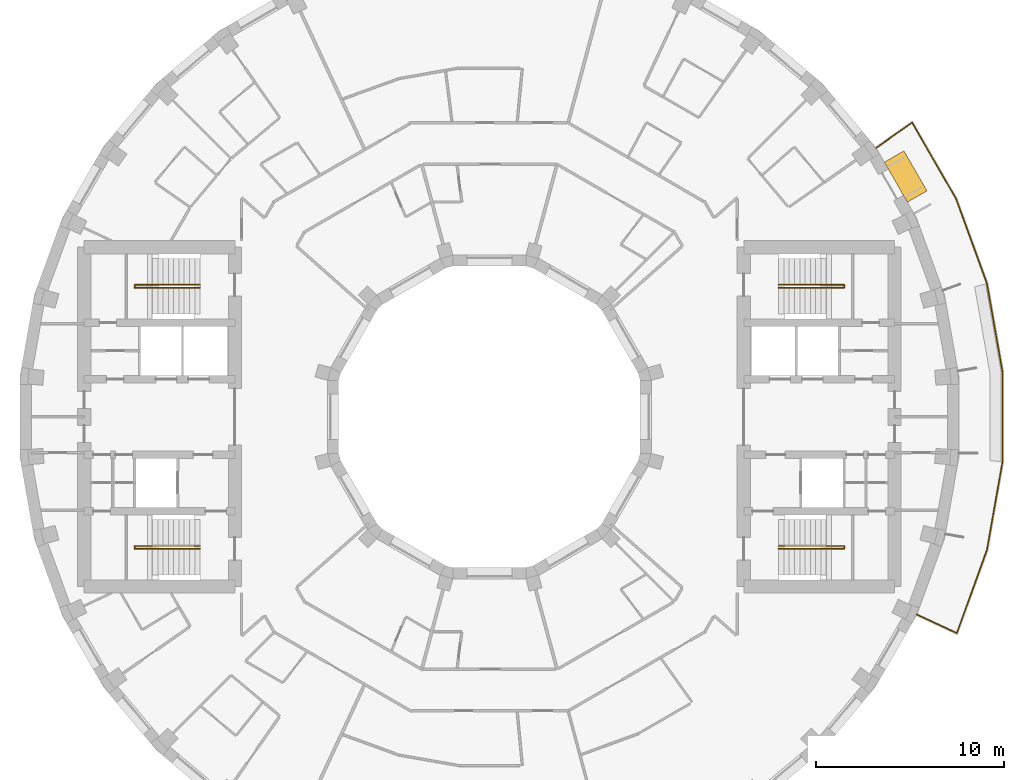
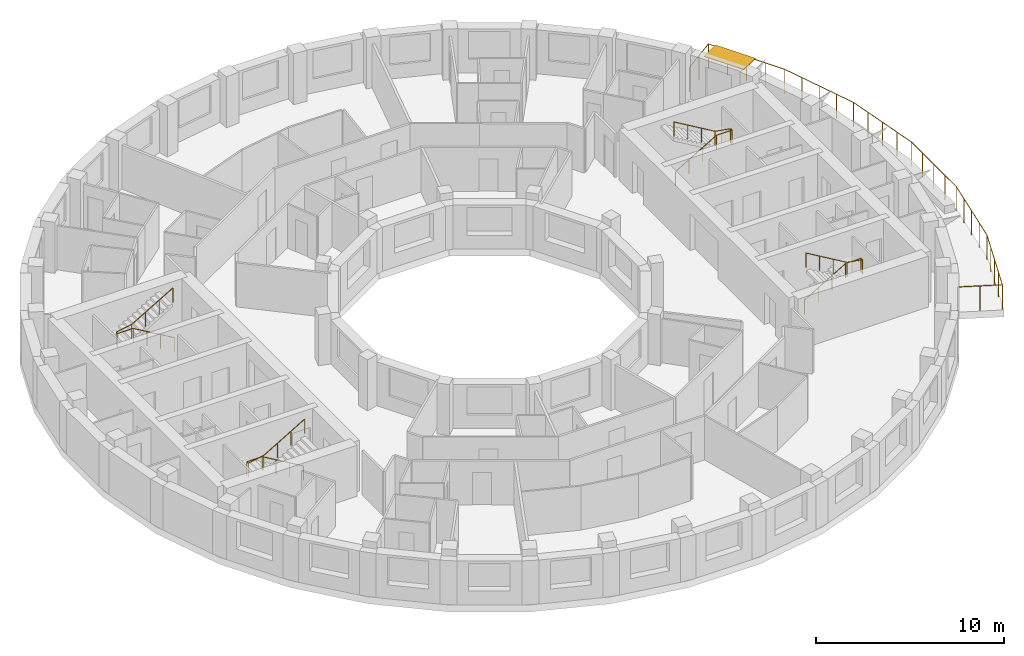
# One storey, part 11 of 11: 5 railings, 1 shading device.
"""IFC4 building model written with IfcOpenShell, lengths in metres."""

from ifc_helpers import new_model, si_unit, direction, frame, origin, origin_2d, place, context, subcontext, project, spatial, rectangle, circle, extrude, material, layer, layer_set, type_object, element, save


model = new_model("IFC4")

# Units and contexts
model_context = context("Model", 3, precision=1e-05, world=origin(), true_north=direction((0.0, 1.0)))
body_context = subcontext(model_context, "Body", "Model", "MODEL_VIEW")
ifc_project = project(units=[si_unit("LENGTHUNIT", "METRE"), si_unit("AREAUNIT", "SQUARE_METRE"), si_unit("VOLUMEUNIT", "CUBIC_METRE"), si_unit("PLANEANGLEUNIT", "RADIAN"), si_unit("MASSUNIT", "GRAM", prefix="KILO")], contexts=[model_context])

# Site, building, storey
site_placement = place(None, origin())
site = spatial("IfcSite", under=ifc_project, at=site_placement, CompositionType="ELEMENT")
building_placement = place(site_placement, origin())
building = spatial("IfcBuilding", under=site, at=building_placement, Name="Saqina Gate Tower", CompositionType="ELEMENT")
storey_placement = place(building_placement, frame((0.0, 0.0, 183.89990234375)))
storey = spatial("IfcBuildingStorey", under=building, at=storey_placement, Name="L52", CompositionType="ELEMENT", Elevation=183.89990234375)

# Shading device
ifc_material_1 = material(Name="Aluminium and fabric awning", Category="aluminium")
ifc_layer = layer(ifc_material_1, 0.050048828125)
ifc_layer_set = layer_set([ifc_layer], Name="AW-TERRACE")
shading_device_type = type_object("IfcShadingDeviceType", Name="AW-TERRACE", PredefinedType="AWNING", material=ifc_layer_set)
shading_device_placement = place(storey_placement, frame((22.087890625, 12.75244140625, 2.52490234375), z_axis=(0.0, 0.0, 1.0), x_axis=(-0.5, 0.866025403784, 0.0)))
element("IfcShadingDevice", 1, at=shading_device_placement, inside=storey, type_object=shading_device_type, Name="Terrace awning L52 facet 3", PredefinedType="AWNING", context=body_context, shape_type="SweptSolid", body=[
    extrude(rectangle(XDim=2.44970703125, YDim=1.199951171875, at=origin_2d()), origin(), (0.0, 0.0, 1.0), 0.050048828125),
])

# Railings
ifc_material_2 = material(Name="Stainless steel", Category="steel")
railing_type_1 = type_object("IfcRailingType", Name="RL-TERRACE", PredefinedType="GUARDRAIL", material=ifc_material_2)
railing_1_placement = place(storey_placement, frame((22.63720703125, -10.467529296875, 0.0)))
element("IfcRailing", 2, at=railing_1_placement, inside=storey, type_object=railing_type_1, Name="Terrace guard L52", PredefinedType="GUARDRAIL", context=body_context, shape_type="SweptSolid", body=[
    extrude(circle(Radius=0.02392578125, at=origin_2d()), frame((0.0, 0.0, 1.576171875), z_axis=(0.906277108403, -0.422684046048, 0.0), x_axis=(0.422684046048, 0.906277108403, 0.0)), (0.0, 0.0, 1.0), 2.388916015625),
    extrude(circle(Radius=0.02392578125, at=origin_2d()), frame((2.1650390625, -1.009765625, 1.576171875), z_axis=(0.340608713677, 0.940205139407, 0.0), x_axis=(-0.940205139407, 0.340608713677, 0.0)), (0.0, 0.0, 1.0), 4.68408203125),
    extrude(circle(Radius=0.02392578125, at=origin_2d()), frame((3.760498046875, 3.394287109375, 1.576171875), z_axis=(0.173633303123, 0.98481037568, 0.0), x_axis=(-0.98481037568, 0.173633303123, 0.0)), (0.0, 0.0, 1.0), 4.763671875),
    extrude(circle(Radius=0.02392578125, at=origin_2d()), frame((4.587646484375, 8.085693359375, 1.576171875), z_axis=(0.0, 1.0, 0.0), x_axis=(-1.0, 0.0, 0.0)), (0.0, 0.0, 1.0), 4.763671875),
    extrude(circle(Radius=0.02392578125, at=origin_2d()), frame((4.587646484375, 12.849365234375, 1.576171875), z_axis=(-0.173633303123, 0.98481037568, 0.0), x_axis=(-0.98481037568, -0.173633303123, 0.0)), (0.0, 0.0, 1.0), 4.763671875),
    extrude(circle(Radius=0.02392578125, at=origin_2d()), frame((3.760498046875, 17.540771484375, 1.576171875), z_axis=(-0.342031084868, 0.939688638318, 0.0), x_axis=(-0.939688638318, -0.342031084868, 0.0)), (0.0, 0.0, 1.0), 4.763916015625),
    extrude(circle(Radius=0.02392578125, at=origin_2d()), frame((2.131103515625, 22.017333984375, 1.576171875), z_axis=(-0.49871886863, 0.866763802932, 0.0), x_axis=(-0.866763802932, -0.49871886863, 0.0)), (0.0, 0.0, 1.0), 4.683837890625),
    extrude(circle(Radius=0.02392578125, at=origin_2d()), frame((-0.204833984375, 26.0771484375, 1.576171875), z_axis=(-0.819159891559, -0.573565229124, 0.0), x_axis=(0.573565229124, -0.819159891559, 0.0)), (0.0, 0.0, 1.0), 2.388671875),
    extrude(circle(Radius=0.02099609375, at=origin_2d()), origin(), (0.0, 0.0, 1.0), 1.552001953125),
    extrude(circle(Radius=0.02099609375, at=origin_2d()), frame((1.08251953125, -0.5048828125, 0.0)), (0.0, 0.0, 1.0), 1.552001953125),
    extrude(circle(Radius=0.02099609375, at=origin_2d()), frame((2.1650390625, -1.009765625, 0.0)), (0.0, 0.0, 1.0), 1.552001953125),
    extrude(circle(Radius=0.02099609375, at=origin_2d()), frame((2.56396484375, 0.09130859375, 0.0)), (0.0, 0.0, 1.0), 1.552001953125),
    extrude(circle(Radius=0.02099609375, at=origin_2d()), frame((2.962890625, 1.1923828125, 0.0)), (0.0, 0.0, 1.0), 1.552001953125),
    extrude(circle(Radius=0.02099609375, at=origin_2d()), frame((3.361572265625, 2.293212890625, 0.0)), (0.0, 0.0, 1.0), 1.552001953125),
    extrude(circle(Radius=0.02099609375, at=origin_2d()), frame((3.760498046875, 3.394287109375, 0.0)), (0.0, 0.0, 1.0), 1.552001953125),
    extrude(circle(Radius=0.02099609375, at=origin_2d()), frame((3.96728515625, 4.567138671875, 0.0)), (0.0, 0.0, 1.0), 1.552001953125),
    extrude(circle(Radius=0.02099609375, at=origin_2d()), frame((4.174072265625, 5.739990234375, 0.0)), (0.0, 0.0, 1.0), 1.552001953125),
    extrude(circle(Radius=0.02099609375, at=origin_2d()), frame((4.380859375, 6.912841796875, 0.0)), (0.0, 0.0, 1.0), 1.552001953125),
    extrude(circle(Radius=0.02099609375, at=origin_2d()), frame((4.587646484375, 8.085693359375, 0.0)), (0.0, 0.0, 1.0), 1.552001953125),
    extrude(circle(Radius=0.02099609375, at=origin_2d()), frame((4.587646484375, 9.276611328125, 0.0)), (0.0, 0.0, 1.0), 1.552001953125),
    extrude(circle(Radius=0.02099609375, at=origin_2d()), frame((4.587646484375, 10.467529296875, 0.0)), (0.0, 0.0, 1.0), 1.552001953125),
    extrude(circle(Radius=0.02099609375, at=origin_2d()), frame((4.587646484375, 11.658447265625, 0.0)), (0.0, 0.0, 1.0), 1.552001953125),
    extrude(circle(Radius=0.02099609375, at=origin_2d()), frame((4.587646484375, 12.849365234375, 0.0)), (0.0, 0.0, 1.0), 1.552001953125),
    extrude(circle(Radius=0.02099609375, at=origin_2d()), frame((4.380859375, 14.022216796875, 0.0)), (0.0, 0.0, 1.0), 1.552001953125),
    extrude(circle(Radius=0.02099609375, at=origin_2d()), frame((4.174072265625, 15.195068359375, 0.0)), (0.0, 0.0, 1.0), 1.552001953125),
    extrude(circle(Radius=0.02099609375, at=origin_2d()), frame((3.96728515625, 16.367919921875, 0.0)), (0.0, 0.0, 1.0), 1.552001953125),
    extrude(circle(Radius=0.02099609375, at=origin_2d()), frame((3.760498046875, 17.540771484375, 0.0)), (0.0, 0.0, 1.0), 1.552001953125),
    extrude(circle(Radius=0.02099609375, at=origin_2d()), frame((3.35302734375, 18.659912109375, 0.0)), (0.0, 0.0, 1.0), 1.552001953125),
    extrude(circle(Radius=0.02099609375, at=origin_2d()), frame((2.94580078125, 19.779052734375, 0.0)), (0.0, 0.0, 1.0), 1.552001953125),
    extrude(circle(Radius=0.02099609375, at=origin_2d()), frame((2.53857421875, 20.898193359375, 0.0)), (0.0, 0.0, 1.0), 1.552001953125),
    extrude(circle(Radius=0.02099609375, at=origin_2d()), frame((2.131103515625, 22.017333984375, 0.0)), (0.0, 0.0, 1.0), 1.552001953125),
    extrude(circle(Radius=0.02099609375, at=origin_2d()), frame((1.547119140625, 23.0322265625, 0.0)), (0.0, 0.0, 1.0), 1.552001953125),
    extrude(circle(Radius=0.02099609375, at=origin_2d()), frame((0.963134765625, 24.04736328125, 0.0)), (0.0, 0.0, 1.0), 1.552001953125),
    extrude(circle(Radius=0.02099609375, at=origin_2d()), frame((0.379150390625, 25.062255859375, 0.0)), (0.0, 0.0, 1.0), 1.552001953125),
    extrude(circle(Radius=0.02099609375, at=origin_2d()), frame((-0.204833984375, 26.0771484375, 0.0)), (0.0, 0.0, 1.0), 1.552001953125),
    extrude(circle(Radius=0.02099609375, at=origin_2d()), frame((-1.18310546875, 25.39208984375, 0.0)), (0.0, 0.0, 1.0), 1.552001953125),
    extrude(circle(Radius=0.02099609375, at=origin_2d()), frame((-2.16162109375, 24.70703125, 0.0)), (0.0, 0.0, 1.0), 1.552001953125),
])
ifc_material_3 = material(Name="Stainless steel", Category="steel")
railing_type_2 = type_object("IfcRailingType", Name="STAIR HANDRAIL", PredefinedType="HANDRAIL", material=ifc_material_3)
railing_2_placement = place(storey_placement, frame((15.35009765625, 6.85009765625, 0.1650390625)))
element("IfcRailing", 3, at=railing_2_placement, inside=storey, type_object=railing_type_2, Name="EXIT STAIR 1 HANDRAIL", PredefinedType="HANDRAIL", context=body_context, shape_type="SweptSolid", body=[
    extrude(circle(Radius=0.02392578125, at=origin_2d()), frame((0.0, 0.0, 0.92578125), z_axis=(0.86152411907, 0.0, 0.507716645641), x_axis=(0.0, 1.0, 0.0)), (0.0, 0.0, 1.0), 2.925048828125),
    extrude(circle(Radius=0.02392578125, at=origin_2d()), frame((2.52001953125, 0.0, 2.4111328125), z_axis=(1.0, 0.0, 0.0), x_axis=(0.0, 1.0, 0.0)), (0.0, 0.0, 1.0), 0.949951171875),
    extrude(circle(Radius=0.02392578125, at=origin_2d()), frame((3.469970703125, 0.0, 2.4111328125), z_axis=(0.0, 1.0, 0.0), x_axis=(-1.0, 0.0, 0.0)), (0.0, 0.0, 1.0), 0.14990234375),
    extrude(circle(Radius=0.02392578125, at=origin_2d()), frame((3.469970703125, 0.14990234375, 2.4111328125), z_axis=(-0.985241474778, 0.0, 0.171170197109), x_axis=(0.0, -1.0, 0.0)), (0.0, 0.0, 1.0), 0.964111328125),
    extrude(circle(Radius=0.02392578125, at=origin_2d()), frame((2.52001953125, 0.14990234375, 2.576171875), z_axis=(-0.861560626758, 0.0, 0.507654692109), x_axis=(0.0, -1.0, 0.0)), (0.0, 0.0, 1.0), 2.925048828125),
    extrude(circle(Radius=0.02099609375, at=origin_2d()), origin(), (0.0, 0.0, 1.0), 0.90185546875),
    extrude(circle(Radius=0.02099609375, at=origin_2d()), frame((0.840087890625, 0.0, 0.4951171875)), (0.0, 0.0, 1.0), 0.90185546875),
    extrude(circle(Radius=0.02099609375, at=origin_2d()), frame((1.679931640625, 0.0, 0.989990234375)), (0.0, 0.0, 1.0), 0.90185546875),
    extrude(circle(Radius=0.02099609375, at=origin_2d()), frame((2.52001953125, 0.0, 1.485107421875)), (0.0, 0.0, 1.0), 0.90185546875),
    extrude(circle(Radius=0.02099609375, at=origin_2d()), frame((3.469970703125, 0.0, 1.485107421875)), (0.0, 0.0, 1.0), 0.90185546875),
    extrude(circle(Radius=0.02099609375, at=origin_2d()), frame((3.469970703125, 0.14990234375, 1.485107421875)), (0.0, 0.0, 1.0), 0.90185546875),
    extrude(circle(Radius=0.02099609375, at=origin_2d()), frame((2.52001953125, 0.14990234375, 1.650146484375)), (0.0, 0.0, 1.0), 0.90185546875),
    extrude(circle(Radius=0.02099609375, at=origin_2d()), frame((1.679931640625, 0.14990234375, 2.14501953125)), (0.0, 0.0, 1.0), 0.90185546875),
    extrude(circle(Radius=0.02099609375, at=origin_2d()), frame((0.840087890625, 0.14990234375, 2.64013671875)), (0.0, 0.0, 1.0), 0.90185546875),
    extrude(circle(Radius=0.02099609375, at=origin_2d()), frame((0.0, 0.14990234375, 3.135009765625)), (0.0, 0.0, 1.0), 0.90185546875),
])
railing_3_placement = place(storey_placement, frame((15.35009765625, -6.85009765625, 0.1650390625)))
element("IfcRailing", 4, at=railing_3_placement, inside=storey, type_object=railing_type_2, Name="EXIT STAIR 2 HANDRAIL", PredefinedType="HANDRAIL", context=body_context, shape_type="SweptSolid", body=[
    extrude(circle(Radius=0.02392578125, at=origin_2d()), frame((0.0, 0.0, 0.92578125), z_axis=(0.86152411907, 0.0, 0.507716645641), x_axis=(0.0, 1.0, 0.0)), (0.0, 0.0, 1.0), 2.925048828125),
    extrude(circle(Radius=0.02392578125, at=origin_2d()), frame((2.52001953125, 0.0, 2.4111328125), z_axis=(1.0, 0.0, 0.0), x_axis=(0.0, 1.0, 0.0)), (0.0, 0.0, 1.0), 0.949951171875),
    extrude(circle(Radius=0.02392578125, at=origin_2d()), frame((3.469970703125, 0.0, 2.4111328125), z_axis=(0.0, -1.0, 0.0), x_axis=(1.0, 0.0, 0.0)), (0.0, 0.0, 1.0), 0.14990234375),
    extrude(circle(Radius=0.02392578125, at=origin_2d()), frame((3.469970703125, -0.14990234375, 2.4111328125), z_axis=(-0.985241474778, 0.0, 0.171170197109), x_axis=(0.0, -1.0, 0.0)), (0.0, 0.0, 1.0), 0.964111328125),
    extrude(circle(Radius=0.02392578125, at=origin_2d()), frame((2.52001953125, -0.14990234375, 2.576171875), z_axis=(-0.861560626758, 0.0, 0.507654692109), x_axis=(0.0, -1.0, 0.0)), (0.0, 0.0, 1.0), 2.925048828125),
    extrude(circle(Radius=0.02099609375, at=origin_2d()), origin(), (0.0, 0.0, 1.0), 0.90185546875),
    extrude(circle(Radius=0.02099609375, at=origin_2d()), frame((0.840087890625, 0.0, 0.4951171875)), (0.0, 0.0, 1.0), 0.90185546875),
    extrude(circle(Radius=0.02099609375, at=origin_2d()), frame((1.679931640625, 0.0, 0.989990234375)), (0.0, 0.0, 1.0), 0.90185546875),
    extrude(circle(Radius=0.02099609375, at=origin_2d()), frame((2.52001953125, 0.0, 1.485107421875)), (0.0, 0.0, 1.0), 0.90185546875),
    extrude(circle(Radius=0.02099609375, at=origin_2d()), frame((3.469970703125, 0.0, 1.485107421875)), (0.0, 0.0, 1.0), 0.90185546875),
    extrude(circle(Radius=0.02099609375, at=origin_2d()), frame((3.469970703125, -0.14990234375, 1.485107421875)), (0.0, 0.0, 1.0), 0.90185546875),
    extrude(circle(Radius=0.02099609375, at=origin_2d()), frame((2.52001953125, -0.14990234375, 1.650146484375)), (0.0, 0.0, 1.0), 0.90185546875),
    extrude(circle(Radius=0.02099609375, at=origin_2d()), frame((1.679931640625, -0.14990234375, 2.14501953125)), (0.0, 0.0, 1.0), 0.90185546875),
    extrude(circle(Radius=0.02099609375, at=origin_2d()), frame((0.840087890625, -0.14990234375, 2.64013671875)), (0.0, 0.0, 1.0), 0.90185546875),
    extrude(circle(Radius=0.02099609375, at=origin_2d()), frame((0.0, -0.14990234375, 3.135009765625)), (0.0, 0.0, 1.0), 0.90185546875),
])
railing_4_placement = place(storey_placement, frame((-15.35009765625, 6.85009765625, 0.1650390625)))
element("IfcRailing", 5, at=railing_4_placement, inside=storey, type_object=railing_type_2, Name="EXIT STAIR 3 HANDRAIL", PredefinedType="HANDRAIL", context=body_context, shape_type="SweptSolid", body=[
    extrude(circle(Radius=0.02392578125, at=origin_2d()), frame((0.0, 0.0, 0.92578125), z_axis=(-0.86152411907, 0.0, 0.507716645641), x_axis=(0.0, -1.0, 0.0)), (0.0, 0.0, 1.0), 2.925048828125),
    extrude(circle(Radius=0.02392578125, at=origin_2d()), frame((-2.52001953125, 0.0, 2.4111328125), z_axis=(-1.0, 0.0, 0.0), x_axis=(0.0, -1.0, 0.0)), (0.0, 0.0, 1.0), 0.949951171875),
    extrude(circle(Radius=0.02392578125, at=origin_2d()), frame((-3.469970703125, 0.0, 2.4111328125), z_axis=(0.0, 1.0, 0.0), x_axis=(-1.0, 0.0, 0.0)), (0.0, 0.0, 1.0), 0.14990234375),
    extrude(circle(Radius=0.02392578125, at=origin_2d()), frame((-3.469970703125, 0.14990234375, 2.4111328125), z_axis=(0.985241474778, 0.0, 0.171170197109), x_axis=(0.0, 1.0, 0.0)), (0.0, 0.0, 1.0), 0.964111328125),
    extrude(circle(Radius=0.02392578125, at=origin_2d()), frame((-2.52001953125, 0.14990234375, 2.576171875), z_axis=(0.861560626758, 0.0, 0.507654692109), x_axis=(0.0, 1.0, 0.0)), (0.0, 0.0, 1.0), 2.925048828125),
    extrude(circle(Radius=0.02099609375, at=origin_2d()), origin(), (0.0, 0.0, 1.0), 0.90185546875),
    extrude(circle(Radius=0.02099609375, at=origin_2d()), frame((-0.840087890625, 0.0, 0.4951171875)), (0.0, 0.0, 1.0), 0.90185546875),
    extrude(circle(Radius=0.02099609375, at=origin_2d()), frame((-1.679931640625, 0.0, 0.989990234375)), (0.0, 0.0, 1.0), 0.90185546875),
    extrude(circle(Radius=0.02099609375, at=origin_2d()), frame((-2.52001953125, 0.0, 1.485107421875)), (0.0, 0.0, 1.0), 0.90185546875),
    extrude(circle(Radius=0.02099609375, at=origin_2d()), frame((-3.469970703125, 0.0, 1.485107421875)), (0.0, 0.0, 1.0), 0.90185546875),
    extrude(circle(Radius=0.02099609375, at=origin_2d()), frame((-3.469970703125, 0.14990234375, 1.485107421875)), (0.0, 0.0, 1.0), 0.90185546875),
    extrude(circle(Radius=0.02099609375, at=origin_2d()), frame((-2.52001953125, 0.14990234375, 1.650146484375)), (0.0, 0.0, 1.0), 0.90185546875),
    extrude(circle(Radius=0.02099609375, at=origin_2d()), frame((-1.679931640625, 0.14990234375, 2.14501953125)), (0.0, 0.0, 1.0), 0.90185546875),
    extrude(circle(Radius=0.02099609375, at=origin_2d()), frame((-0.840087890625, 0.14990234375, 2.64013671875)), (0.0, 0.0, 1.0), 0.90185546875),
    extrude(circle(Radius=0.02099609375, at=origin_2d()), frame((0.0, 0.14990234375, 3.135009765625)), (0.0, 0.0, 1.0), 0.90185546875),
])
railing_5_placement = place(storey_placement, frame((-15.35009765625, -6.85009765625, 0.1650390625)))
element("IfcRailing", 6, at=railing_5_placement, inside=storey, type_object=railing_type_2, Name="EXIT STAIR 4 HANDRAIL", PredefinedType="HANDRAIL", context=body_context, shape_type="SweptSolid", body=[
    extrude(circle(Radius=0.02392578125, at=origin_2d()), frame((0.0, 0.0, 0.92578125), z_axis=(-0.86152411907, 0.0, 0.507716645641), x_axis=(0.0, -1.0, 0.0)), (0.0, 0.0, 1.0), 2.925048828125),
    extrude(circle(Radius=0.02392578125, at=origin_2d()), frame((-2.52001953125, 0.0, 2.4111328125), z_axis=(-1.0, 0.0, 0.0), x_axis=(0.0, -1.0, 0.0)), (0.0, 0.0, 1.0), 0.949951171875),
    extrude(circle(Radius=0.02392578125, at=origin_2d()), frame((-3.469970703125, 0.0, 2.4111328125), z_axis=(0.0, -1.0, 0.0), x_axis=(1.0, 0.0, 0.0)), (0.0, 0.0, 1.0), 0.14990234375),
    extrude(circle(Radius=0.02392578125, at=origin_2d()), frame((-3.469970703125, -0.14990234375, 2.4111328125), z_axis=(0.985241474778, 0.0, 0.171170197109), x_axis=(0.0, 1.0, 0.0)), (0.0, 0.0, 1.0), 0.964111328125),
    extrude(circle(Radius=0.02392578125, at=origin_2d()), frame((-2.52001953125, -0.14990234375, 2.576171875), z_axis=(0.861560626758, 0.0, 0.507654692109), x_axis=(0.0, 1.0, 0.0)), (0.0, 0.0, 1.0), 2.925048828125),
    extrude(circle(Radius=0.02099609375, at=origin_2d()), origin(), (0.0, 0.0, 1.0), 0.90185546875),
    extrude(circle(Radius=0.02099609375, at=origin_2d()), frame((-0.840087890625, 0.0, 0.4951171875)), (0.0, 0.0, 1.0), 0.90185546875),
    extrude(circle(Radius=0.02099609375, at=origin_2d()), frame((-1.679931640625, 0.0, 0.989990234375)), (0.0, 0.0, 1.0), 0.90185546875),
    extrude(circle(Radius=0.02099609375, at=origin_2d()), frame((-2.52001953125, 0.0, 1.485107421875)), (0.0, 0.0, 1.0), 0.90185546875),
    extrude(circle(Radius=0.02099609375, at=origin_2d()), frame((-3.469970703125, 0.0, 1.485107421875)), (0.0, 0.0, 1.0), 0.90185546875),
    extrude(circle(Radius=0.02099609375, at=origin_2d()), frame((-3.469970703125, -0.14990234375, 1.485107421875)), (0.0, 0.0, 1.0), 0.90185546875),
    extrude(circle(Radius=0.02099609375, at=origin_2d()), frame((-2.52001953125, -0.14990234375, 1.650146484375)), (0.0, 0.0, 1.0), 0.90185546875),
    extrude(circle(Radius=0.02099609375, at=origin_2d()), frame((-1.679931640625, -0.14990234375, 2.14501953125)), (0.0, 0.0, 1.0), 0.90185546875),
    extrude(circle(Radius=0.02099609375, at=origin_2d()), frame((-0.840087890625, -0.14990234375, 2.64013671875)), (0.0, 0.0, 1.0), 0.90185546875),
    extrude(circle(Radius=0.02099609375, at=origin_2d()), frame((0.0, -0.14990234375, 3.135009765625)), (0.0, 0.0, 1.0), 0.90185546875),
])

save(model, "model.ifc")
